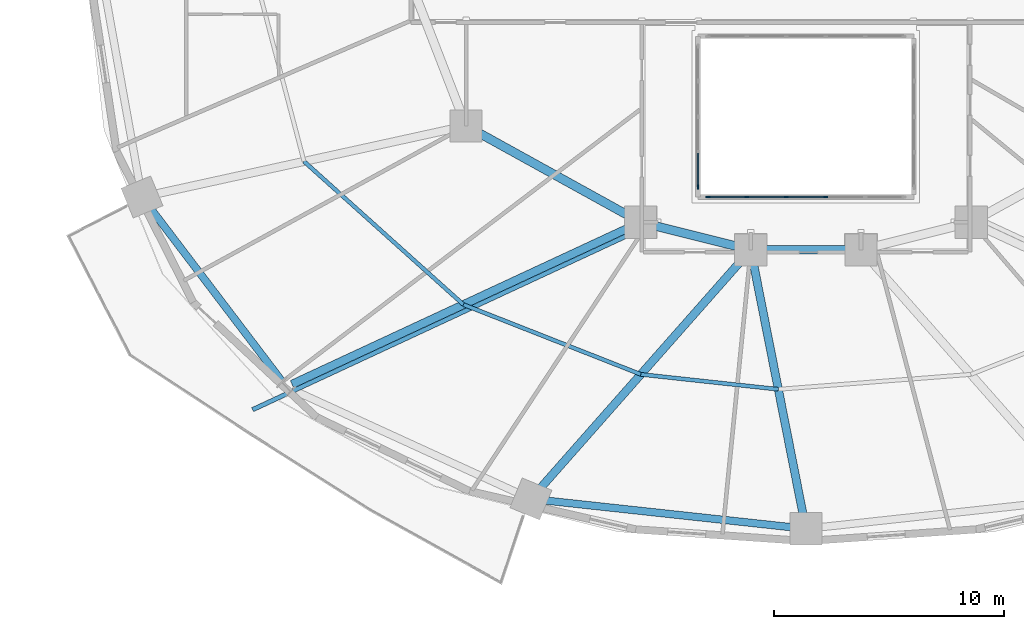
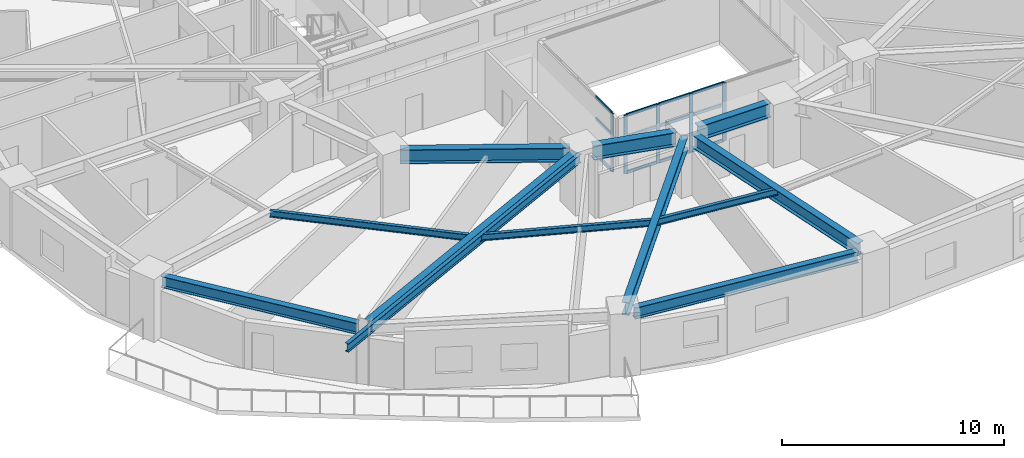
# One storey, part 3 of 18: 17 members, 12 beams, 2 elements without a shape of their own.
"""IFC4 building model written with IfcOpenShell, lengths in metres."""

from ifc_helpers import new_model, si_unit, direction, frame, origin, origin_2d, place, context, subcontext, project, spatial, rectangle, i_section, extrude, material, material_profile, profile_set, type_object, element, aggregate, save


model = new_model("IFC4")

# Units and contexts
model_context = context("Model", 3, precision=1e-05, world=origin(), true_north=direction((0.0, 1.0)))
body_context = subcontext(model_context, "Body", "Model", "MODEL_VIEW")
ifc_project = project(units=[si_unit("LENGTHUNIT", "METRE"), si_unit("AREAUNIT", "SQUARE_METRE"), si_unit("VOLUMEUNIT", "CUBIC_METRE"), si_unit("PLANEANGLEUNIT", "RADIAN"), si_unit("MASSUNIT", "GRAM", prefix="KILO")], contexts=[model_context])

# Site, building, storey
site_placement = place(None, origin())
site = spatial("IfcSite", under=ifc_project, at=site_placement, CompositionType="ELEMENT")
building_placement = place(site_placement, origin())
building = spatial("IfcBuilding", under=site, at=building_placement, Name="Haldorwick Loom Tower", CompositionType="ELEMENT")
storey_placement = place(building_placement, frame((0.0, 0.0, 41.25)))
storey = spatial("IfcBuildingStorey", under=building, at=storey_placement, Name="L10", CompositionType="ELEMENT", Elevation=41.25)

# Curtain wall, members
ifc_material_1 = material(Name="Thermally Broken Anodized Aluminium Curtain Wall Framing", Category="aluminium")
curtain_wall_type = type_object("IfcCurtainWallType", Name="ARC-CW-03", PredefinedType="NOTDEFINED", material=ifc_material_1)
curtain_wall_1_placement = place(storey_placement, origin())
curtain_wall_1 = element("IfcCurtainWall", 1, at=curtain_wall_1_placement, inside=storey, type_object=curtain_wall_type, Name="L10 Atrium Glazed Screen S", PredefinedType="NOTDEFINED")
ifc_material_profile_1 = material_profile(ifc_material_1, rectangle(XDim=0.06591796875, YDim=0.18505859375, at=origin_2d()), Name="ALU_MUL_66X185", Category="aluminium")
ifc_profile_set_1 = profile_set([ifc_material_profile_1], Name="Thermally Broken Anodized Aluminium Curtain Wall Framing")
member_type_1 = type_object("IfcMemberType", Name="ARC-CWM-03", PredefinedType="MULLION", material=ifc_profile_set_1)
member_1_placement = place(storey_placement, frame((36.860107421875, 16.699951171875, 0.0), z_axis=(0.0, 0.0, 1.0), x_axis=(0.0, -1.0, 0.0)))
member_1 = element("IfcMember", 2, at=member_1_placement, type_object=member_type_1, Name="CW-03 mullion 3", PredefinedType="MULLION", context=body_context, shape_type="SweptSolid", body=[
    extrude(rectangle(XDim=0.06591796875, YDim=0.18505859375, at=origin_2d()), origin(), (0.0, 0.0, 1.0), 3.2099609375),
])
member_2_placement = place(storey_placement, frame((35.139892578125, 16.699951171875, 0.0), z_axis=(0.0, 0.0, 1.0), x_axis=(0.0, -1.0, 0.0)))
member_2 = element("IfcMember", 3, at=member_2_placement, type_object=member_type_1, Name="CW-03 mullion 4", PredefinedType="MULLION", context=body_context, shape_type="SweptSolid", body=[
    extrude(rectangle(XDim=0.06591796875, YDim=0.18505859375, at=origin_2d()), origin(), (0.0, 0.0, 1.0), 3.2099609375),
])
member_3_placement = place(storey_placement, frame((33.419921875, 16.699951171875, 0.0), z_axis=(0.0, 0.0, 1.0), x_axis=(0.0, -1.0, 0.0)))
member_3 = element("IfcMember", 4, at=member_3_placement, type_object=member_type_1, Name="CW-03 mullion 5", PredefinedType="MULLION", context=body_context, shape_type="SweptSolid", body=[
    extrude(rectangle(XDim=0.06591796875, YDim=0.18505859375, at=origin_2d()), origin(), (0.0, 0.0, 1.0), 3.2099609375),
])
member_4_placement = place(storey_placement, frame((31.73291015625, 16.699951171875, 0.0), z_axis=(0.0, 0.0, 1.0), x_axis=(0.0, -1.0, 0.0)))
member_4 = element("IfcMember", 5, at=member_4_placement, type_object=member_type_1, Name="CW-03 mullion 6", PredefinedType="MULLION", context=body_context, shape_type="SweptSolid", body=[
    extrude(rectangle(XDim=0.06591796875, YDim=0.18505859375, at=origin_2d()), origin(), (0.0, 0.0, 1.0), 3.2099609375),
])

# Curtain wall, member
curtain_wall_2_placement = place(storey_placement, origin())
curtain_wall_2 = element("IfcCurtainWall", 6, at=curtain_wall_2_placement, inside=storey, type_object=curtain_wall_type, Name="L10 Atrium Glazed Screen W", PredefinedType="NOTDEFINED")
member_5_placement = place(storey_placement, frame((31.300048828125, 17.133056640625, 0.0), z_axis=(0.0, 0.0, 1.0), x_axis=(-1.0, 0.0, 0.0)))
member_5 = element("IfcMember", 7, at=member_5_placement, type_object=member_type_1, Name="CW-03 mullion 1", PredefinedType="MULLION", context=body_context, shape_type="SweptSolid", body=[
    extrude(rectangle(XDim=0.06591796875, YDim=0.18505859375, at=origin_2d()), origin(), (0.0, 0.0, 1.0), 3.2099609375),
])

# Member
ifc_material_profile_2 = material_profile(ifc_material_1, rectangle(XDim=0.06591796875, YDim=0.1650390625, at=origin_2d()), Name="ALU_TRN_66X165", Category="aluminium")
ifc_profile_set_2 = profile_set([ifc_material_profile_2], Name="Thermally Broken Anodized Aluminium Curtain Wall Framing")
member_type_2 = type_object("IfcMemberType", Name="ARC-CWT-03", PredefinedType="USERDEFINED", material=ifc_profile_set_2)
member_6_placement = place(storey_placement, frame((36.826904296875, 16.699951171875, 0.032958984375), z_axis=(-1.0, 0.0, 0.0), x_axis=(0.0, -1.0, 0.0)))
member_6 = element("IfcMember", 8, at=member_6_placement, type_object=member_type_2, Name="CW-03 transom 3.1", ObjectType="TRANSOM", PredefinedType="USERDEFINED", context=body_context, shape_type="SweptSolid", body=[
    extrude(rectangle(XDim=0.06591796875, YDim=0.1650390625, at=origin_2d()), origin(), (0.0, 0.0, 1.0), 1.65380859375),
])

member_7_placement = place(storey_placement, frame((36.826904296875, 16.699951171875, 2.0), z_axis=(-1.0, 0.0, 0.0), x_axis=(0.0, -1.0, 0.0)))
member_7 = element("IfcMember", 9, at=member_7_placement, type_object=member_type_2, Name="CW-03 transom 3.2", ObjectType="TRANSOM", PredefinedType="USERDEFINED", context=body_context, shape_type="SweptSolid", body=[
    extrude(rectangle(XDim=0.06591796875, YDim=0.1650390625, at=origin_2d()), origin(), (0.0, 0.0, 1.0), 1.65380859375),
])

member_8_placement = place(storey_placement, frame((36.826904296875, 16.699951171875, 3.177001953125), z_axis=(-1.0, 0.0, 0.0), x_axis=(0.0, -1.0, 0.0)))
member_8 = element("IfcMember", 10, at=member_8_placement, type_object=member_type_2, Name="CW-03 transom 3.3", ObjectType="TRANSOM", PredefinedType="USERDEFINED", context=body_context, shape_type="SweptSolid", body=[
    extrude(rectangle(XDim=0.06591796875, YDim=0.1650390625, at=origin_2d()), origin(), (0.0, 0.0, 1.0), 1.65380859375),
])

member_9_placement = place(storey_placement, frame((35.10693359375, 16.699951171875, 0.032958984375), z_axis=(-1.0, 0.0, 0.0), x_axis=(0.0, -1.0, 0.0)))
member_9 = element("IfcMember", 11, at=member_9_placement, type_object=member_type_2, Name="CW-03 transom 4.1", ObjectType="TRANSOM", PredefinedType="USERDEFINED", context=body_context, shape_type="SweptSolid", body=[
    extrude(rectangle(XDim=0.06591796875, YDim=0.1650390625, at=origin_2d()), origin(), (0.0, 0.0, 1.0), 1.654052734375),
])

member_10_placement = place(storey_placement, frame((35.10693359375, 16.699951171875, 2.0), z_axis=(-1.0, 0.0, 0.0), x_axis=(0.0, -1.0, 0.0)))
member_10 = element("IfcMember", 12, at=member_10_placement, type_object=member_type_2, Name="CW-03 transom 4.2", ObjectType="TRANSOM", PredefinedType="USERDEFINED", context=body_context, shape_type="SweptSolid", body=[
    extrude(rectangle(XDim=0.06591796875, YDim=0.1650390625, at=origin_2d()), origin(), (0.0, 0.0, 1.0), 1.654052734375),
])

member_11_placement = place(storey_placement, frame((35.10693359375, 16.699951171875, 3.177001953125), z_axis=(-1.0, 0.0, 0.0), x_axis=(0.0, -1.0, 0.0)))
member_11 = element("IfcMember", 13, at=member_11_placement, type_object=member_type_2, Name="CW-03 transom 4.3", ObjectType="TRANSOM", PredefinedType="USERDEFINED", context=body_context, shape_type="SweptSolid", body=[
    extrude(rectangle(XDim=0.06591796875, YDim=0.1650390625, at=origin_2d()), origin(), (0.0, 0.0, 1.0), 1.654052734375),
])

member_12_placement = place(storey_placement, frame((33.386962890625, 16.699951171875, 0.032958984375), z_axis=(-1.0, 0.0, 0.0), x_axis=(0.0, -1.0, 0.0)))
member_12 = element("IfcMember", 14, at=member_12_placement, type_object=member_type_2, Name="CW-03 transom 5.1", ObjectType="TRANSOM", PredefinedType="USERDEFINED", context=body_context, shape_type="SweptSolid", body=[
    extrude(rectangle(XDim=0.06591796875, YDim=0.1650390625, at=origin_2d()), origin(), (0.0, 0.0, 1.0), 1.620849609375),
])

member_13_placement = place(storey_placement, frame((33.386962890625, 16.699951171875, 2.0), z_axis=(-1.0, 0.0, 0.0), x_axis=(0.0, -1.0, 0.0)))
member_13 = element("IfcMember", 15, at=member_13_placement, type_object=member_type_2, Name="CW-03 transom 5.2", ObjectType="TRANSOM", PredefinedType="USERDEFINED", context=body_context, shape_type="SweptSolid", body=[
    extrude(rectangle(XDim=0.06591796875, YDim=0.1650390625, at=origin_2d()), origin(), (0.0, 0.0, 1.0), 1.620849609375),
])

member_14_placement = place(storey_placement, frame((33.386962890625, 16.699951171875, 3.177001953125), z_axis=(-1.0, 0.0, 0.0), x_axis=(0.0, -1.0, 0.0)))
member_14 = element("IfcMember", 16, at=member_14_placement, type_object=member_type_2, Name="CW-03 transom 5.3", ObjectType="TRANSOM", PredefinedType="USERDEFINED", context=body_context, shape_type="SweptSolid", body=[
    extrude(rectangle(XDim=0.06591796875, YDim=0.1650390625, at=origin_2d()), origin(), (0.0, 0.0, 1.0), 1.620849609375),
])

aggregate(curtain_wall_1, [member_1, member_2, member_3, member_4, member_6, member_7, member_8, member_9, member_10, member_11, member_12, member_13, member_14])

member_15_placement = place(storey_placement, frame((31.300048828125, 17.166015625, 0.032958984375), z_axis=(0.0, 1.0, 0.0), x_axis=(-1.0, 0.0, 0.0)))
member_15 = element("IfcMember", 17, at=member_15_placement, type_object=member_type_2, Name="CW-03 transom 1.1", ObjectType="TRANSOM", PredefinedType="USERDEFINED", context=body_context, shape_type="SweptSolid", body=[
    extrude(rectangle(XDim=0.06591796875, YDim=0.1650390625, at=origin_2d()), origin(), (0.0, 0.0, 1.0), 1.450927734375),
])

member_16_placement = place(storey_placement, frame((31.300048828125, 17.166015625, 2.0), z_axis=(0.0, 1.0, 0.0), x_axis=(-1.0, 0.0, 0.0)))
member_16 = element("IfcMember", 18, at=member_16_placement, type_object=member_type_2, Name="CW-03 transom 1.2", ObjectType="TRANSOM", PredefinedType="USERDEFINED", context=body_context, shape_type="SweptSolid", body=[
    extrude(rectangle(XDim=0.06591796875, YDim=0.1650390625, at=origin_2d()), origin(), (0.0, 0.0, 1.0), 1.450927734375),
])

member_17_placement = place(storey_placement, frame((31.300048828125, 17.166015625, 3.177001953125), z_axis=(0.0, 1.0, 0.0), x_axis=(-1.0, 0.0, 0.0)))
member_17 = element("IfcMember", 19, at=member_17_placement, type_object=member_type_2, Name="CW-03 transom 1.3", ObjectType="TRANSOM", PredefinedType="USERDEFINED", context=body_context, shape_type="SweptSolid", body=[
    extrude(rectangle(XDim=0.06591796875, YDim=0.1650390625, at=origin_2d()), origin(), (0.0, 0.0, 1.0), 1.450927734375),
])

aggregate(curtain_wall_2, [member_5, member_15, member_16, member_17])

# Beams
ifc_material_2 = material(Name="Steel CSA G40.21 350W", Category="steel")
ifc_material_profile_3 = material_profile(ifc_material_2, i_section(OverallWidth=0.193115234375, OverallDepth=0.466064453125, WebThickness=0.011474609375, FlangeThickness=0.01904296875, at=origin_2d()), Name="W460X97", Category="steel")
ifc_profile_set_3 = profile_set([ifc_material_profile_3], Name="Steel CSA G40.21 350W")
beam_type_1 = type_object("IfcBeamType", Name="STR-BM-BAL460", PredefinedType="BEAM", material=ifc_profile_set_3)
beam_1_placement = place(storey_placement, frame((28.446533203125, 15.126953125, 2.97705078125), z_axis=(-0.906840784049, -0.421473359047, 0.0), x_axis=(0.421473359047, -0.906840784049, 0.0)))
element("IfcBeam", 20, at=beam_1_placement, inside=storey, type_object=beam_type_1, Name="L10 Continuous Back-Spanned Balcony Beam 2", PredefinedType="BEAM", context=body_context, shape_type="SweptSolid", body=[
    extrude(i_section(OverallWidth=0.193115234375, OverallDepth=0.466064453125, WebThickness=0.011474609375, FlangeThickness=0.01904296875, at=origin_2d()), origin(), (0.0, 0.0, 1.0), 18.245361328125),
])
ifc_material_profile_4 = material_profile(ifc_material_2, i_section(OverallWidth=0.172119140625, OverallDepth=0.35791015625, WebThickness=0.0078125, FlangeThickness=0.01318359375, at=origin_2d()), Name="W360X57", Category="steel")
ifc_profile_set_4 = profile_set([ifc_material_profile_4], Name="Steel CSA G40.21 350W")
beam_type_2 = type_object("IfcBeamType", Name="STR-BM-J360", PredefinedType="JOIST", material=ifc_profile_set_4)
beam_2_placement = place(storey_placement, frame((14.141357421875, 18.25048828125, 3.031005859375), z_axis=(0.743981830112, -0.668199847698, 0.0), x_axis=(0.668199847698, 0.743981830112, 0.0)))
element("IfcBeam", 21, at=beam_2_placement, inside=storey, type_object=beam_type_2, Name="L10 Mid-Bay Secondary Joist 10", PredefinedType="JOIST", context=body_context, shape_type="SweptSolid", body=[
    extrude(i_section(OverallWidth=0.172119140625, OverallDepth=0.35791015625, WebThickness=0.0078125, FlangeThickness=0.01318359375, at=origin_2d()), origin(), (0.0, 0.0, 1.0), 9.3330078125),
])
beam_3_placement = place(storey_placement, frame((21.0849609375, 12.01416015625, 3.031005859375), z_axis=(0.930584838237, -0.366076301941, 0.0), x_axis=(0.366076301941, 0.930584838237, 0.0)))
element("IfcBeam", 22, at=beam_3_placement, inside=storey, type_object=beam_type_2, Name="L10 Mid-Bay Secondary Joist 11", PredefinedType="JOIST", context=body_context, shape_type="SweptSolid", body=[
    extrude(i_section(OverallWidth=0.172119140625, OverallDepth=0.35791015625, WebThickness=0.0078125, FlangeThickness=0.01318359375, at=origin_2d()), origin(), (0.0, 0.0, 1.0), 8.302490234375),
])
beam_4_placement = place(storey_placement, frame((28.81103515625, 8.974853515625, 3.031005859375), z_axis=(0.994163660215, -0.107882420753, 0.0), x_axis=(0.107882420753, 0.994163660215, 0.0)))
element("IfcBeam", 23, at=beam_4_placement, inside=storey, type_object=beam_type_2, Name="L10 Mid-Bay Secondary Joist 12", PredefinedType="JOIST", context=body_context, shape_type="SweptSolid", body=[
    extrude(i_section(OverallWidth=0.172119140625, OverallDepth=0.35791015625, WebThickness=0.0078125, FlangeThickness=0.01318359375, at=origin_2d()), origin(), (0.0, 0.0, 1.0), 6.024169921875),
])
ifc_material_profile_5 = material_profile(ifc_material_2, i_section(OverallWidth=0.324951171875, OverallDepth=0.615966796875, WebThickness=0.013916015625, FlangeThickness=0.021484375, at=origin_2d()), Name="W610X174", Category="steel")
ifc_profile_set_5 = profile_set([ifc_material_profile_5], Name="Steel CSA G40.21 350W")
beam_type_3 = type_object("IfcBeamType", Name="STR-BM-SP610", PredefinedType="SPANDREL", material=ifc_profile_set_5)
beam_5_placement = place(storey_placement, frame((7.397216796875, 16.286865234375, 2.902099609375), z_axis=(0.605084557744, -0.796161213562, 0.0), x_axis=(0.796161213562, 0.605084557744, 0.0)))
element("IfcBeam", 24, at=beam_5_placement, inside=storey, type_object=beam_type_3, Name="L10 Perimeter Spandrel 10", PredefinedType="SPANDREL", context=body_context, shape_type="SweptSolid", body=[
    extrude(i_section(OverallWidth=0.324951171875, OverallDepth=0.615966796875, WebThickness=0.013916015625, FlangeThickness=0.021484375, at=origin_2d()), origin(), (0.0, 0.0, 1.0), 9.595703125),
])
beam_6_placement = place(storey_placement, frame((24.5390625, 3.49365234375, 2.902099609375), z_axis=(0.994164438636, -0.107875247167, 0.0), x_axis=(0.107875247167, 0.994164438636, 0.0)))
element("IfcBeam", 25, at=beam_6_placement, inside=storey, type_object=beam_type_3, Name="L10 Perimeter Spandrel 12", PredefinedType="SPANDREL", context=body_context, shape_type="SweptSolid", body=[
    extrude(i_section(OverallWidth=0.324951171875, OverallDepth=0.615966796875, WebThickness=0.013916015625, FlangeThickness=0.021484375, at=origin_2d()), origin(), (0.0, 0.0, 1.0), 11.008056640625),
])
ifc_material_profile_6 = material_profile(ifc_material_2, i_section(OverallWidth=0.35498046875, OverallDepth=0.695068359375, WebThickness=0.015380859375, FlangeThickness=0.02490234375, at=origin_2d()), Name="W690X217", Category="steel")
ifc_profile_set_6 = profile_set([ifc_material_profile_6], Name="Steel CSA G40.21 350W")
beam_type_4 = type_object("IfcBeamType", Name="STR-BM-W690", PredefinedType="BEAM", material=ifc_profile_set_6)
beam_7_placement = place(storey_placement, frame((28.328369140625, 15.380859375, 2.862548828125), z_axis=(-0.90683498532, -0.421485835349, 0.0), x_axis=(0.421485835349, -0.90683498532, 0.0)))
element("IfcBeam", 26, at=beam_7_placement, inside=storey, type_object=beam_type_4, Name="L10 Radial Floor Girder 11", PredefinedType="BEAM", context=body_context, shape_type="SweptSolid", body=[
    extrude(i_section(OverallWidth=0.35498046875, OverallDepth=0.695068359375, WebThickness=0.015380859375, FlangeThickness=0.02490234375, at=origin_2d()), origin(), (0.0, 0.0, 1.0), 16.220458984375),
])
beam_8_placement = place(storey_placement, frame((33.255859375, 14.01025390625, 2.862548828125), z_axis=(-0.661774304332, -0.749703121326, 0.0), x_axis=(0.749703121326, -0.661774304332, 0.0)))
element("IfcBeam", 27, at=beam_8_placement, inside=storey, type_object=beam_type_4, Name="L10 Radial Floor Girder 12", PredefinedType="BEAM", context=body_context, shape_type="SweptSolid", body=[
    extrude(i_section(OverallWidth=0.35498046875, OverallDepth=0.695068359375, WebThickness=0.015380859375, FlangeThickness=0.02490234375, at=origin_2d()), origin(), (0.0, 0.0, 1.0), 13.43310546875),
])
beam_9_placement = place(storey_placement, frame((33.70068359375, 13.889892578125, 2.862548828125), z_axis=(0.193785651115, -0.981043893729, 0.0), x_axis=(0.981043893729, 0.193785651115, 0.0)))
element("IfcBeam", 28, at=beam_9_placement, inside=storey, type_object=beam_type_4, Name="L10 Radial Floor Girder 13", PredefinedType="BEAM", context=body_context, shape_type="SweptSolid", body=[
    extrude(i_section(OverallWidth=0.35498046875, OverallDepth=0.695068359375, WebThickness=0.015380859375, FlangeThickness=0.02490234375, at=origin_2d()), origin(), (0.0, 0.0, 1.0), 11.344970703125),
])
ifc_material_profile_7 = material_profile(ifc_material_2, i_section(OverallWidth=0.381103515625, OverallDepth=0.77294921875, WebThickness=0.0166015625, FlangeThickness=0.027587890625, at=origin_2d()), Name="W760X257", Category="steel")
ifc_profile_set_7 = profile_set([ifc_material_profile_7], Name="Steel CSA G40.21 350W")
beam_type_5 = type_object("IfcBeamType", Name="STR-BM-W760", PredefinedType="BEAM", material=ifc_profile_set_7)
beam_10_placement = place(storey_placement, frame((37.8798828125, 14.39990234375, 2.823486328125), z_axis=(-1.0, 0.0, 0.0), x_axis=(0.0, -1.0, 0.0)))
element("IfcBeam", 29, at=beam_10_placement, inside=storey, type_object=beam_type_5, Name="L10 Inner Ring Girder 5", PredefinedType="BEAM", context=body_context, shape_type="SweptSolid", body=[
    extrude(i_section(OverallWidth=0.381103515625, OverallDepth=0.77294921875, WebThickness=0.0166015625, FlangeThickness=0.027587890625, at=origin_2d()), origin(), (0.0, 0.0, 1.0), 3.759765625),
])
beam_11_placement = place(storey_placement, frame((33.095458984375, 14.526123046875, 2.823486328125), z_axis=(-0.970142500145, 0.242535625036, 0.0), x_axis=(-0.242535625036, -0.970142500145, 0.0)))
element("IfcBeam", 30, at=beam_11_placement, inside=storey, type_object=beam_type_5, Name="L10 Inner Ring Girder 6", PredefinedType="BEAM", context=body_context, shape_type="SweptSolid", body=[
    extrude(i_section(OverallWidth=0.381103515625, OverallDepth=0.77294921875, WebThickness=0.0166015625, FlangeThickness=0.027587890625, at=origin_2d()), origin(), (0.0, 0.0, 1.0), 3.90771484375),
])
beam_12_placement = place(storey_placement, frame((28.344970703125, 15.8515625, 2.823486328125), z_axis=(-0.875244382146, 0.483680960471, 0.0), x_axis=(-0.483680960471, -0.875244382146, 0.0)))
element("IfcBeam", 31, at=beam_12_placement, inside=storey, type_object=beam_type_5, Name="L10 Inner Ring Girder 7", PredefinedType="BEAM", context=body_context, shape_type="SweptSolid", body=[
    extrude(i_section(OverallWidth=0.381103515625, OverallDepth=0.77294921875, WebThickness=0.0166015625, FlangeThickness=0.027587890625, at=origin_2d()), origin(), (0.0, 0.0, 1.0), 7.6435546875),
])

save(model, "model.ifc")
